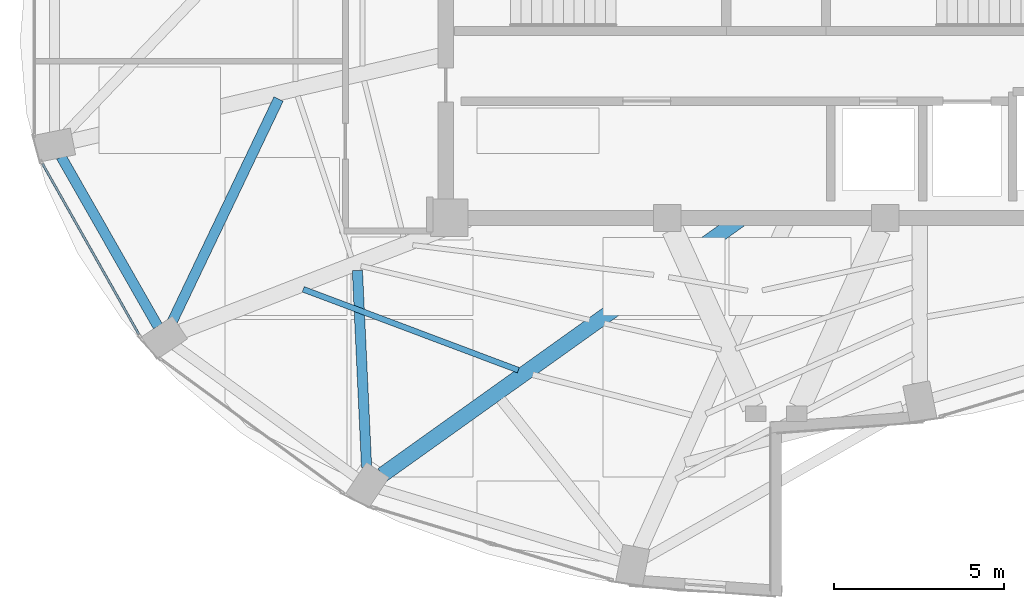
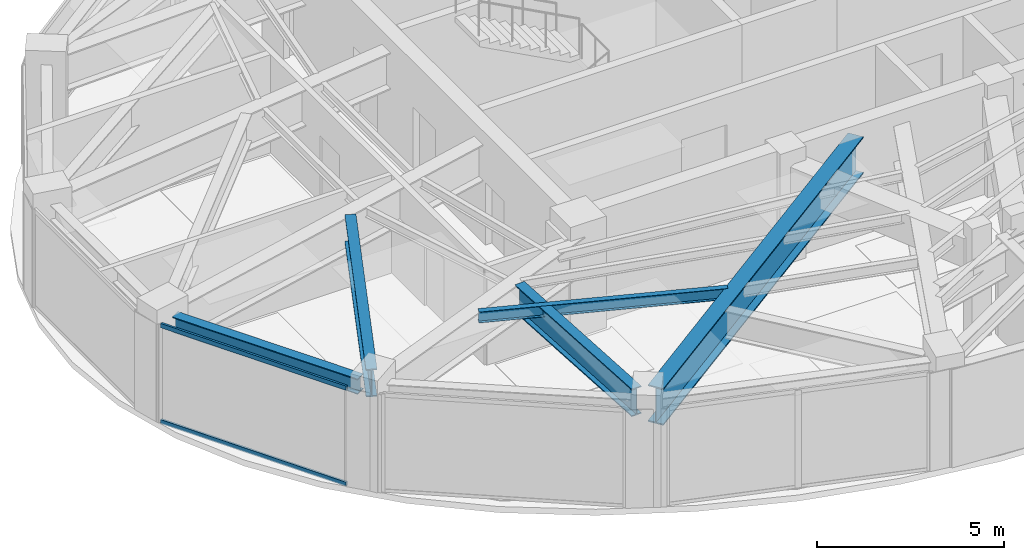
# One storey, part 3 of 23: 5 beams, 2 members, 1 element without a shape of its own.
"""IFC4 building model written with IfcOpenShell, lengths in metres."""

import ifcopenshell
import ifcopenshell.guid

model = None  # the IFC model being written
_history = None  # IfcOwnerHistory: only IFC2X3 demands one
_inside = {}  # id of a spatial element -> (the spatial element, [elements in it])
_under = {}  # id of a project, library or spatial element -> (it, [spatial elements below it])
_declared = {}  # id of a project -> (the project, [libraries it declares])
_typed = {}  # id of a type object -> (the type object, [elements of that type])
_made_of = {}  # id of a material, layer set ... -> (it, [elements and type objects made of it])


def new_model(schema):
    """Start an empty IFC model of exactly this schema.

    Asked for "IFC4X3", IfcOpenShell would pick the latest addendum, in which some entities
    have other attributes; the version numbers below select the first issue.
    IFC2X3 requires an IfcOwnerHistory on every rooted entity: one is made here for all.
    """
    global model, _history
    if schema == "IFC4X3":
        model = ifcopenshell.file(schema_version=(4, 3, 0, 0))
    else:
        model = ifcopenshell.file(schema=schema)
    _inside.clear()
    _under.clear()
    _declared.clear()
    _typed.clear()
    _made_of.clear()
    _history = None
    if model.schema == "IFC2X3":
        org = make("IfcOrganization", Name="unknown")
        user = make(
            "IfcPersonAndOrganization",
            ThePerson=make("IfcPerson", FamilyName="unknown"),
            TheOrganization=org,
        )
        app = make(
            "IfcApplication",
            ApplicationDeveloper=org,
            Version="unknown",
            ApplicationFullName="unknown",
            ApplicationIdentifier="unknown",
        )
        _history = make(
            "IfcOwnerHistory",
            OwningUser=user,
            OwningApplication=app,
            ChangeAction="ADDED",
            CreationDate=0,
        )
    return model


def make(cls, **values):
    """One entity of the class cls with the attributes given. An attribute that is None is left unset."""
    return model.create_entity(
        cls, **{name: value for name, value in values.items() if value is not None}
    )


def rooted(cls, **values):
    """An entity with a GlobalId (a new one), such as an element, a storey or a relation."""
    return make(cls, GlobalId=ifcopenshell.guid.new(), OwnerHistory=_history, **values)


def si_unit(unit_type, name, prefix=None):
    """IfcSIUnit, for example si_unit("LENGTHUNIT", "METRE", prefix="MILLI")."""
    return make("IfcSIUnit", UnitType=unit_type, Prefix=prefix, Name=name)


def assignment(units):
    """IfcUnitAssignment: the units of a project."""
    return None if units is None else make("IfcUnitAssignment", Units=units)


def point(xyz):
    """IfcCartesianPoint."""
    return None if xyz is None else make("IfcCartesianPoint", Coordinates=xyz)


def direction(xyz):
    """IfcDirection."""
    return None if xyz is None else make("IfcDirection", DirectionRatios=xyz)


def frame(location, z_axis=None, x_axis=None):
    """IfcAxis2Placement3D, a coordinate frame: its origin and axes. An axis left out is left unset."""
    return make(
        "IfcAxis2Placement3D",
        Location=point(location),
        Axis=direction(z_axis),
        RefDirection=direction(x_axis),
    )


def frame_2d(location, x_axis=None):
    """IfcAxis2Placement2D, a coordinate frame in the plane: its origin and x axis."""
    return make(
        "IfcAxis2Placement2D", Location=point(location), RefDirection=direction(x_axis)
    )


def origin():
    """The frame at (0, 0, 0) with its axes left unset."""
    return frame((0.0, 0.0, 0.0))


def origin_2d():
    """The frame at (0, 0) in the plane with its x axis left unset."""
    return frame_2d((0.0, 0.0))


def place(relative_to, where):
    """IfcLocalPlacement: puts the frame where relative to a parent placement (None: the world)."""
    return make(
        "IfcLocalPlacement", PlacementRelTo=relative_to, RelativePlacement=where
    )


def context(
    kind, dimensions, precision=None, world=None, true_north=None, identifier=None
):
    """IfcGeometricRepresentationContext, for example the 3D "Model" context."""
    return make(
        "IfcGeometricRepresentationContext",
        ContextIdentifier=identifier,
        ContextType=kind,
        CoordinateSpaceDimension=dimensions,
        Precision=precision,
        WorldCoordinateSystem=world,
        TrueNorth=true_north,
    )


def subcontext(parent, identifier, kind, view, scale=None):
    """IfcGeometricRepresentationSubContext, for example "Body" below "Model"."""
    return make(
        "IfcGeometricRepresentationSubContext",
        ContextIdentifier=identifier,
        ContextType=kind,
        ParentContext=parent,
        TargetScale=scale,
        TargetView=view,
    )


def project(units=None, contexts=None):
    """IfcProject with its units and contexts."""
    return rooted(
        "IfcProject",
        Name="project",
        RepresentationContexts=contexts,
        UnitsInContext=assignment(units),
    )


def spatial(cls, under=None, at=None, **own):
    """A site, building, storey or space (cls), placed at a placement, below another one or the project."""
    s = rooted(cls, ObjectPlacement=at, **own)
    if under is not None:
        _under.setdefault(under.id(), (under, []))[1].append(s)
    return s


def profile(cls, at=None, kind="AREA", **sizes):
    """A parametric profile (cls). Its sizes go by their IFC names, for example OverallWidth=200.0."""
    return make(cls, ProfileType=kind, Position=at, **sizes)


def hollow_rectangle(**sizes):
    """IfcRectangleHollowProfileDef."""
    return profile("IfcRectangleHollowProfileDef", **sizes)


def i_section(**sizes):
    """IfcIShapeProfileDef."""
    return profile("IfcIShapeProfileDef", **sizes)


def extrude(swept, where, along, depth):
    """IfcExtrudedAreaSolid: the profile swept, set in the frame where, extruded along a direction by depth."""
    return make(
        "IfcExtrudedAreaSolid",
        SweptArea=swept,
        Position=where,
        ExtrudedDirection=direction(along),
        Depth=depth,
    )


def shape(context_of_items, identifier, shape_type, items):
    """IfcShapeRepresentation: the items that make up one representation, for example the "Body"."""
    return make(
        "IfcShapeRepresentation",
        ContextOfItems=context_of_items,
        RepresentationIdentifier=identifier,
        RepresentationType=shape_type,
        Items=items,
    )


def material(Name=None, Category=None):
    """IfcMaterial."""
    return make("IfcMaterial", Name=Name, Category=Category)


def layer(
    of_material, thickness, ventilated=None, Name=None, Category=None, Priority=None
):
    """IfcMaterialLayer: one layer of a wall or slab, of a material (None: an air gap)."""
    return make(
        "IfcMaterialLayer",
        Material=of_material,
        LayerThickness=thickness,
        IsVentilated=ventilated,
        Name=Name,
        Category=Category,
        Priority=Priority,
    )


def layer_set(layers, Name=None):
    """IfcMaterialLayerSet."""
    return make("IfcMaterialLayerSet", MaterialLayers=layers, LayerSetName=Name)


def material_profile(
    of_material, cross_section, Name=None, Category=None, Priority=None
):
    """IfcMaterialProfile: a cross section and its material."""
    return make(
        "IfcMaterialProfile",
        Name=Name,
        Material=of_material,
        Profile=cross_section,
        Priority=Priority,
        Category=Category,
    )


def profile_set(profiles, Name=None, composite=None):
    """IfcMaterialProfileSet."""
    return make(
        "IfcMaterialProfileSet",
        Name=Name,
        MaterialProfiles=profiles,
        CompositeProfile=composite,
    )


def made_of(thing, what):
    """Note that an element or type object is made of a material, layer set ...; save() writes the relation."""
    if what is not None:
        _made_of.setdefault(what.id(), (what, []))[1].append(thing)
    return thing


def type_object(cls, material=None, **own):
    """A type object (cls), such as IfcWallType, which elements share."""
    return made_of(rooted(cls, **own), material)


def element(
    cls,
    number,
    at=None,
    inside=None,
    cuts=None,
    type_object=None,
    material=None,
    context=None,
    identifier="Body",
    shape_type=None,
    held_by="IfcProductDefinitionShape",
    body=None,
    shapes=None,
    **own,
):
    """One element of the class cls, such as IfcWall. Its Tag is "e" and its number.

    at: its placement. inside: the storey or other place that contains it. cuts: it is an
    opening in that element (IfcRelVoidsElement). A single representation is given by context,
    identifier, shape_type and body (its items); several are given by shapes. held_by: the class
    of the entity that holds the representations. save() writes the other relations.
    """
    e = rooted(cls, Tag="e%d" % number, ObjectPlacement=at, **own)
    if body is not None:
        shapes = [shape(context, identifier, shape_type, body)]
    if shapes is not None:
        e.Representation = make(held_by, Representations=shapes)
    if inside is not None:
        _inside.setdefault(inside.id(), (inside, []))[1].append(e)
    if cuts is not None:
        rooted(
            "IfcRelVoidsElement", RelatingBuildingElement=cuts, RelatedOpeningElement=e
        )
    if type_object is not None:
        _typed.setdefault(type_object.id(), (type_object, []))[1].append(e)
    return made_of(e, material)


def aggregate(whole, parts):
    """IfcRelAggregates: a whole, such as a stair, and the parts it consists of."""
    return rooted("IfcRelAggregates", RelatingObject=whole, RelatedObjects=parts)


def save(model, path):
    """Write the relations noted so far, then the file.

    IfcRelAggregates (storeys below a building ...), IfcRelContainedInSpatialStructure (elements
    in a storey), IfcRelDefinesByType, IfcRelAssociatesMaterial and IfcRelDeclares: one each for
    every whole, place, type object, material and project.
    """
    for whole, parts in _under.values():
        aggregate(whole, parts)
    for where, things in _inside.values():
        rooted(
            "IfcRelContainedInSpatialStructure",
            RelatedElements=things,
            RelatingStructure=where,
        )
    for kind, things in _typed.values():
        rooted("IfcRelDefinesByType", RelatedObjects=things, RelatingType=kind)
    for what, things in _made_of.values():
        rooted("IfcRelAssociatesMaterial", RelatedObjects=things, RelatingMaterial=what)
    for by, libraries in _declared.values():
        rooted("IfcRelDeclares", RelatingContext=by, RelatedDefinitions=libraries)
    model.write(path)


model = new_model("IFC4")

# Units and contexts
model_context = context("Model", 3, precision=1e-05, world=origin(), true_north=direction((0.0, 1.0)))
body_context = subcontext(model_context, "Body", "Model", "MODEL_VIEW")
ifc_project = project(units=[si_unit("LENGTHUNIT", "METRE"), si_unit("AREAUNIT", "SQUARE_METRE"), si_unit("VOLUMEUNIT", "CUBIC_METRE"), si_unit("PLANEANGLEUNIT", "RADIAN"), si_unit("MASSUNIT", "GRAM", prefix="KILO")], contexts=[model_context])

# Site, building, storey
site_placement = place(None, origin())
site = spatial("IfcSite", under=ifc_project, at=site_placement, CompositionType="ELEMENT")
building_placement = place(site_placement, origin())
building = spatial("IfcBuilding", under=site, at=building_placement, Name="Lazwardi Medical Tower", CompositionType="ELEMENT")
storey_placement = place(building_placement, frame((0.0, 0.0, 265.968017578125)))
storey = spatial("IfcBuildingStorey", under=building, at=storey_placement, Name="L69", CompositionType="ELEMENT", Elevation=265.968017578125)

# Beams
ifc_material_1 = material(Name="Steel S460", Category="steel")
ifc_material_profile_1 = material_profile(ifc_material_1, i_section(OverallWidth=0.300048828125, OverallDepth=0.89990234375, WebThickness=0.0185546875, FlangeThickness=0.034912109375, at=origin_2d()), Name="HEB 900")
ifc_profile_set_1 = profile_set([ifc_material_profile_1], Name="Steel S460")
beam_type_1 = type_object("IfcBeamType", Name="BM-HB-01", PredefinedType="BEAM", material=ifc_profile_set_1)
beam_1_placement = place(storey_placement, frame((21.3896484375, 23.8896484375, 2.748046875), z_axis=(-0.430999376301, -0.902352224815, 0.0), x_axis=(0.902352224815, -0.430999376301, 0.0)))
element("IfcBeam", 1, at=beam_1_placement, inside=storey, type_object=beam_type_1, Name="Transfer girder tie HB-01 M13 L69", PredefinedType="BEAM", context=body_context, shape_type="SweptSolid", body=[
    extrude(i_section(OverallWidth=0.300048828125, OverallDepth=0.89990234375, WebThickness=0.0185546875, FlangeThickness=0.034912109375, at=origin_2d()), origin(), (0.0, 0.0, 1.0), 7.23583984375),
])
beam_2_placement = place(storey_placement, frame((23.70458984375, 18.85791015625, 2.748046875), z_axis=(0.046684728463, -0.998909673658, 0.0), x_axis=(0.998909673658, 0.046684728463, 0.0)))
element("IfcBeam", 2, at=beam_2_placement, inside=storey, type_object=beam_type_1, Name="Transfer girder tie HB-01 M14 L69", PredefinedType="BEAM", context=body_context, shape_type="SweptSolid", body=[
    extrude(i_section(OverallWidth=0.300048828125, OverallDepth=0.89990234375, WebThickness=0.0185546875, FlangeThickness=0.034912109375, at=origin_2d()), origin(), (0.0, 0.0, 1.0), 5.783935546875),
])
ifc_material_2 = material(Name="Steel S355", Category="steel")
ifc_material_profile_2 = material_profile(ifc_material_2, i_section(OverallWidth=0.300048828125, OverallDepth=0.5, WebThickness=0.014404296875, FlangeThickness=0.028076171875, at=origin_2d()), Name="HEB 500")
ifc_profile_set_2 = profile_set([ifc_material_profile_2], Name="Steel S355")
beam_type_2 = type_object("IfcBeamType", Name="BM-RB-Z4", PredefinedType="BEAM", material=ifc_profile_set_2)
beam_3_placement = place(storey_placement, frame((15.008056640625, 22.1982421875, 2.947998046875), z_axis=(0.495125273299, -0.868821594886, 0.0), x_axis=(0.868821594886, 0.495125273299, 0.0)))
element("IfcBeam", 3, at=beam_3_placement, inside=storey, type_object=beam_type_2, Name="Ring beam RB-05 B13 L69", PredefinedType="BEAM", context=body_context, shape_type="SweptSolid", body=[
    extrude(i_section(OverallWidth=0.300048828125, OverallDepth=0.5, WebThickness=0.014404296875, FlangeThickness=0.028076171875, at=origin_2d()), origin(), (0.0, 0.0, 1.0), 5.734130859375),
])
ifc_material_profile_3 = material_profile(ifc_material_2, i_section(OverallWidth=0.169921875, OverallDepth=0.360107421875, WebThickness=0.008056640625, FlangeThickness=0.0126953125, at=origin_2d()), Name="IPE 360")
ifc_profile_set_3 = profile_set([ifc_material_profile_3], Name="Steel S355")
beam_type_3 = type_object("IfcBeamType", Name="BM-SJ-02", PredefinedType="JOIST", material=ifc_profile_set_3)
beam_4_placement = place(storey_placement, frame((22.114990234375, 18.305419921875, 3.01806640625), z_axis=(0.936008969514, -0.351976148326, 0.0), x_axis=(0.351976148326, 0.936008969514, 0.0)))
element("IfcBeam", 4, at=beam_4_placement, inside=storey, type_object=beam_type_3, Name="Secondary joist SJ-02 R2 B14 L69", PredefinedType="JOIST", context=body_context, shape_type="SweptSolid", body=[
    extrude(i_section(OverallWidth=0.169921875, OverallDepth=0.360107421875, WebThickness=0.008056640625, FlangeThickness=0.0126953125, at=origin_2d()), origin(), (0.0, 0.0, 1.0), 6.744873046875),
])
ifc_material_profile_4 = material_profile(ifc_material_1, i_section(OverallWidth=0.449951171875, OverallDepth=1.199951171875, WebThickness=0.02490234375, FlangeThickness=0.0400390625, at=origin_2d()), Name="PG 1200x450")
ifc_profile_set_4 = profile_set([ifc_material_profile_4], Name="Steel S460")
beam_type_4 = type_object("IfcBeamType", Name="BM-TG-02", PredefinedType="BEAM", material=ifc_profile_set_4)
beam_5_placement = place(storey_placement, frame((24.43505859375, 12.856689453125, 2.597900390625), z_axis=(0.813911212717, 0.580989275127, 0.0), x_axis=(-0.580989275127, 0.813911212717, 0.0)))
element("IfcBeam", 5, at=beam_5_placement, inside=storey, type_object=beam_type_4, Name="Transfer girder TG-02 M15 L69", PredefinedType="BEAM", context=body_context, shape_type="SweptSolid", body=[
    extrude(i_section(OverallWidth=0.449951171875, OverallDepth=1.199951171875, WebThickness=0.02490234375, FlangeThickness=0.0400390625, at=origin_2d()), origin(), (0.0, 0.0, 1.0), 12.897705078125),
])

# Curtain wall, members
ifc_material_3 = material(Name="Anodised bronze aluminium and solar control glazing", Category="aluminium")
ifc_layer = layer(ifc_material_3, 0.18994140625)
ifc_layer_set = layer_set([ifc_layer], Name="Anodised bronze aluminium and solar control glazing")
curtain_wall_type = type_object("IfcCurtainWallType", Name="CW-SYS-04", PredefinedType="NOTDEFINED", material=ifc_layer_set)
curtain_wall_placement = place(storey_placement, origin())
curtain_wall = element("IfcCurtainWall", 6, at=curtain_wall_placement, inside=storey, type_object=curtain_wall_type, Name="L69 Unitised bronze curtain wall CW-04", PredefinedType="NOTDEFINED")
ifc_material_4 = material(Name="Anodised bronze aluminium", Category="aluminium")
ifc_material_profile_5 = material_profile(ifc_material_4, hollow_rectangle(XDim=0.06494140625, YDim=0.139892578125, WallThickness=0.00341796875, at=origin_2d()), Name="ALU-TRANSOM 140x65x3.5")
ifc_profile_set_5 = profile_set([ifc_material_profile_5], Name="Anodised bronze aluminium")
member_type = type_object("IfcMemberType", Name="CW-TRN-03", PredefinedType="USERDEFINED", material=ifc_profile_set_5)
member_1_placement = place(storey_placement, frame((14.458740234375, 21.993408203125, 0.032470703125), z_axis=(0.491897887635, -0.870652897623, 0.0), x_axis=(0.870652897623, 0.491897887635, 0.0)))
member_1 = element("IfcMember", 7, at=member_1_placement, type_object=member_type, Name="CW-04 transom 1.1", ObjectType="TRANSOM", PredefinedType="USERDEFINED", context=body_context, shape_type="SweptSolid", body=[
    extrude(hollow_rectangle(XDim=0.06494140625, YDim=0.139892578125, WallThickness=0.00341796875, at=origin_2d()), origin(), (0.0, 0.0, 1.0), 5.7548828125),
])
member_2_placement = place(storey_placement, frame((14.458740234375, 21.993408203125, 3.16552734375), z_axis=(0.491897887635, -0.870652897623, 0.0), x_axis=(0.870652897623, 0.491897887635, 0.0)))
member_2 = element("IfcMember", 8, at=member_2_placement, type_object=member_type, Name="CW-04 transom 1.2", ObjectType="TRANSOM", PredefinedType="USERDEFINED", context=body_context, shape_type="SweptSolid", body=[
    extrude(hollow_rectangle(XDim=0.06494140625, YDim=0.139892578125, WallThickness=0.00341796875, at=origin_2d()), origin(), (0.0, 0.0, 1.0), 5.7548828125),
])
aggregate(curtain_wall, [member_1, member_2])

save(model, "model.ifc")
